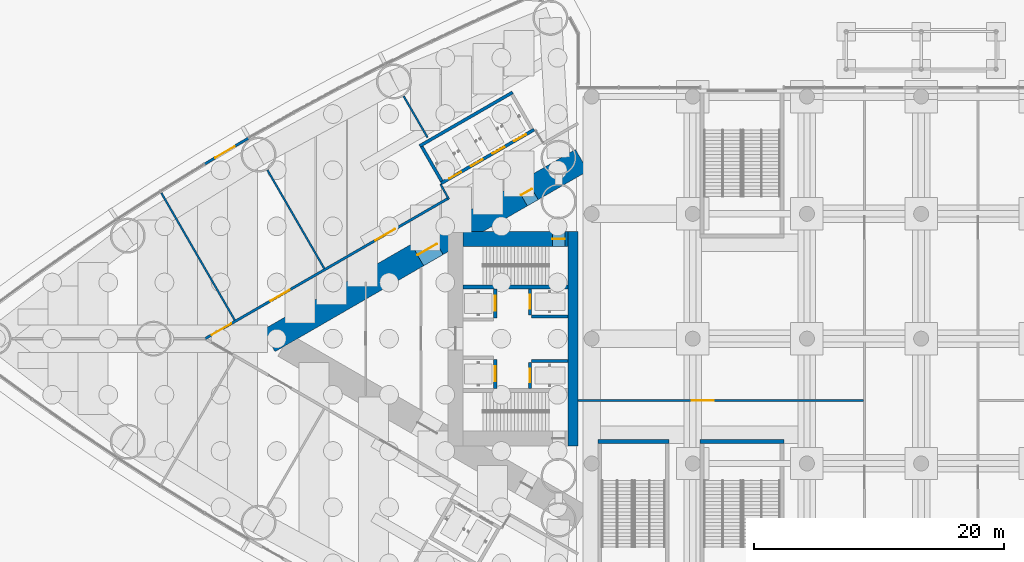
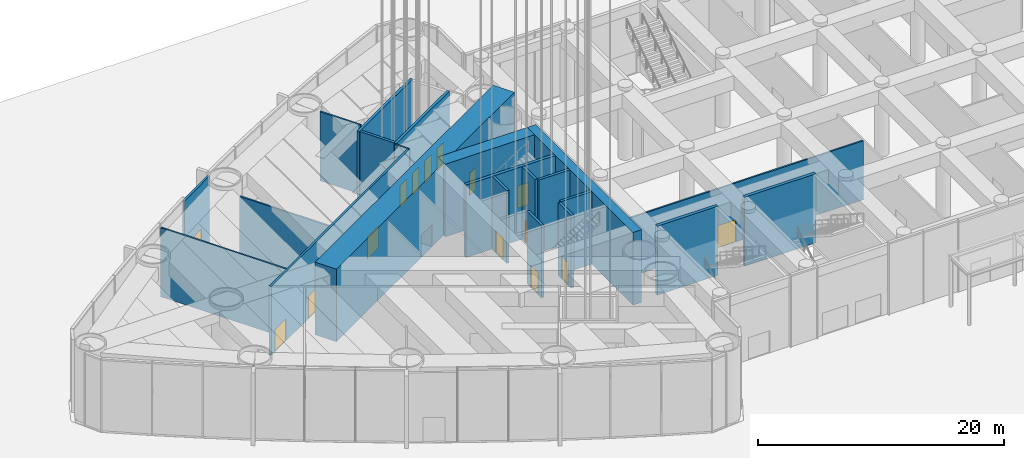
# One storey, part 21 of 43: 22 walls, 16 doors, 16 openings.
"""IFC4 building model written with IfcOpenShell, lengths in metres."""

from ifc_helpers import new_model, si_unit, direction, frame, frame_2d, origin, place, context, subcontext, project, spatial, rectangle, extrude, material, layer, layer_set, type_object, element, fill, save


model = new_model("IFC4")

# Units and contexts
model_context = context("Model", 3, precision=1e-05, world=origin(), true_north=direction((0.0, 1.0)))
body_context = subcontext(model_context, "Body", "Model", "MODEL_VIEW")
ifc_project = project(units=[si_unit("LENGTHUNIT", "METRE"), si_unit("AREAUNIT", "SQUARE_METRE"), si_unit("VOLUMEUNIT", "CUBIC_METRE"), si_unit("PLANEANGLEUNIT", "RADIAN"), si_unit("MASSUNIT", "GRAM", prefix="KILO")], contexts=[model_context])

# Site, building, storey
site_placement = place(None, origin())
site = spatial("IfcSite", under=ifc_project, at=site_placement, CompositionType="ELEMENT")
building_placement = place(site_placement, origin())
building = spatial("IfcBuilding", under=site, at=building_placement, Name="Lancet Gate Hotel", CompositionType="ELEMENT")
storey_placement = place(building_placement, origin())
storey = spatial("IfcBuildingStorey", under=building, at=storey_placement, Name="L00", CompositionType="ELEMENT", Elevation=0.0)

# Wall, openings, doors
ifc_material_1 = material(Name="Concrete C70/85", Category="concrete")
ifc_layer_1 = layer(ifc_material_1, 2.0)
ifc_layer_set_1 = layer_set([ifc_layer_1], Name="Buttress wall 2000")
wall_type_1 = type_object("IfcWallType", Name="Buttress wall 2000", PredefinedType="SHEAR", material=ifc_layer_set_1)
wall_1_placement = place(storey_placement, frame((-27.199951171875, 14.300048828125, 0.0), z_axis=(0.0, 0.0, 1.0), x_axis=(-0.866026593062, -0.499997940104, 0.0)))
wall_1 = element("IfcWall", 1, at=wall_1_placement, inside=storey, type_object=wall_type_1, Name="T1 buttress wall S L00", PredefinedType="SHEAR", context=body_context, shape_type="SweptSolid", body=[
    extrude(rectangle(XDim=28.9462890625, YDim=2.0, at=frame_2d((14.47314453125, 0.0))), origin(), (0.0, 0.0, 1.0), 7.199951171875),
])
opening_1_placement = place(wall_1_placement, frame((4.60009765625, 0.0, 0.0)))
opening_1 = element("IfcOpeningElement", 2, at=opening_1_placement, cuts=wall_1, Name="Opening T1-L00-LS", PredefinedType="OPENING", context=body_context, shape_type="SweptSolid", body=[
    extrude(rectangle(XDim=1.0, YDim=2.199951171875, at=frame_2d((0.5, 1.10009765625))), frame((0.0, 1.010009765625, 0.0), z_axis=(0.0, -1.0, 0.0), x_axis=(1.0, 0.0, 0.0)), (0.0, 0.0, 1.0), 2.02001953125),
])
opening_2_placement = place(wall_1_placement, frame((13.39453125, 0.0, 0.0)))
opening_2 = element("IfcOpeningElement", 3, at=opening_2_placement, cuts=wall_1, Name="Opening T1-L00-LHS", PredefinedType="OPENING", context=body_context, shape_type="SweptSolid", body=[
    extrude(rectangle(XDim=1.800048828125, YDim=2.199951171875, at=frame_2d((0.89990234375, 1.10009765625))), frame((0.0, 1.010009765625, 0.0), z_axis=(0.0, -1.0, 0.0), x_axis=(1.0, 0.0, 0.0)), (0.0, 0.0, 1.0), 2.02001953125),
])
ifc_material_2 = material(Name="Timber door set", Category="wood")
door_type_1 = type_object("IfcDoorType", Name="Lobby double door 1800", OperationType="DOUBLE_DOOR_SINGLE_SWING", PredefinedType="DOOR", material=ifc_material_2)
door_1_placement = place(opening_2_placement, origin())
door_1 = element("IfcDoor", 4, at=door_1_placement, inside=storey, type_object=door_type_1, Name="T1-L00-LHS", OperationType="DOUBLE_DOOR_SINGLE_SWING", OverallHeight=2.199951171875, OverallWidth=1.800048828125, PredefinedType="DOOR", context=body_context, shape_type="SweptSolid", body=[
    extrude(rectangle(XDim=1.800048828125, YDim=2.199951171875, at=frame_2d((0.89990234375, 1.10009765625))), frame((0.0, 0.02490234375, 0.0), z_axis=(0.0, -1.0, 0.0), x_axis=(1.0, 0.0, 0.0)), (0.0, 0.0, 1.0), 0.050048828125),
])
fill(opening_2, door_1)
ifc_material_3 = material(Name="Timber door set", Category="wood")
door_type_2 = type_object("IfcDoorType", Name="Stair lobby door 1000", OperationType="SINGLE_SWING_LEFT", PredefinedType="DOOR", material=ifc_material_3)
door_2_placement = place(opening_1_placement, origin())
door_2 = element("IfcDoor", 5, at=door_2_placement, inside=storey, type_object=door_type_2, Name="T1-L00-LS", OperationType="SINGLE_SWING_LEFT", OverallHeight=2.199951171875, OverallWidth=1.0, PredefinedType="DOOR", context=body_context, shape_type="SweptSolid", body=[
    extrude(rectangle(XDim=1.0, YDim=2.199951171875, at=frame_2d((0.5, 1.10009765625))), frame((0.0, 0.02490234375, 0.0), z_axis=(0.0, -1.0, 0.0), x_axis=(1.0, 0.0, 0.0)), (0.0, 0.0, 1.0), 0.050048828125),
])
fill(opening_1, door_2)

# Wall, opening, door
ifc_material_4 = material(Name="Concrete C70/85", Category="concrete")
ifc_layer_2 = layer(ifc_material_4, 1.199951171875)
ifc_layer_set_2 = layer_set([ifc_layer_2], Name="Core wall 1200")
wall_type_2 = type_object("IfcWallType", Name="Core wall 1200", PredefinedType="SHEAR", material=ifc_layer_set_2)
wall_2_placement = place(storey_placement, frame((-28.300048828125, 8.0, 0.0), z_axis=(0.0, 0.0, 1.0), x_axis=(-1.0, 0.0, 0.0)))
wall_2 = element("IfcWall", 6, at=wall_2_placement, inside=storey, type_object=wall_type_2, Name="T1 core wall side-S L00", PredefinedType="SHEAR", context=body_context, shape_type="SweptSolid", body=[
    extrude(rectangle(XDim=8.39990234375, YDim=1.199951171875, at=frame_2d((4.199951171875, 0.0))), origin(), (0.0, 0.0, 1.0), 7.199951171875),
])
opening_3_placement = place(wall_2_placement, frame((0.25, 0.0, 0.0)))
opening_3 = element("IfcOpeningElement", 7, at=opening_3_placement, cuts=wall_2, Name="Opening T1-L00-ST1", PredefinedType="OPENING", context=body_context, shape_type="SweptSolid", body=[
    extrude(rectangle(XDim=1.0, YDim=2.199951171875, at=frame_2d((0.5, 1.10009765625))), frame((0.0, 0.60986328125, 0.0), z_axis=(0.0, -1.0, 0.0), x_axis=(1.0, 0.0, 0.0)), (0.0, 0.0, 1.0), 1.219970703125),
])
ifc_material_5 = material(Name="Timber door set", Category="wood")
door_type_3 = type_object("IfcDoorType", Name="Stair door 1000", OperationType="SINGLE_SWING_RIGHT", PredefinedType="DOOR", material=ifc_material_5)
door_3_placement = place(opening_3_placement, origin())
door_3 = element("IfcDoor", 8, at=door_3_placement, inside=storey, type_object=door_type_3, Name="T1-L00-ST1", OperationType="SINGLE_SWING_RIGHT", OverallHeight=2.199951171875, OverallWidth=1.0, PredefinedType="DOOR", context=body_context, shape_type="SweptSolid", body=[
    extrude(rectangle(XDim=1.0, YDim=2.199951171875, at=frame_2d((0.5, 1.10009765625))), frame((0.0, 0.02490234375, 0.0), z_axis=(0.0, -1.0, 0.0), x_axis=(1.0, 0.0, 0.0)), (0.0, 0.0, 1.0), 0.050048828125),
])
fill(opening_3, door_3)

# Wall
ifc_material_6 = material(Name="Concrete C70/85", Category="concrete")
ifc_layer_3 = layer(ifc_material_6, 0.800048828125)
ifc_layer_set_3 = layer_set([ifc_layer_3], Name="Core wall 800")
wall_type_3 = type_object("IfcWallType", Name="Core wall 800", PredefinedType="SHEAR", material=ifc_layer_set_3)
wall_3_placement = place(storey_placement, frame((-27.89990234375, 8.60009765625, 0.0), z_axis=(0.0, 0.0, 1.0), x_axis=(0.0, -1.0, 0.0)))
element("IfcWall", 9, at=wall_3_placement, inside=storey, type_object=wall_type_3, Name="T1 core wall front L00", PredefinedType="SHEAR", context=body_context, shape_type="SweptSolid", body=[
    extrude(rectangle(XDim=17.2001953125, YDim=0.800048828125, at=frame_2d((8.60009765625, 0.0))), origin(), (0.0, 0.0, 1.0), 7.199951171875),
])

# Wall, openings, doors
ifc_material_7 = material(Name="Gypsum board partition")
ifc_layer_4 = layer(ifc_material_7, 0.199951171875)
ifc_layer_set_4 = layer_set([ifc_layer_4], Name="Corridor wall 200")
wall_type_4 = type_object("IfcWallType", Name="Corridor wall 200", PredefinedType="PARTITIONING", material=ifc_layer_set_4)
wall_4_placement = place(storey_placement, frame((-37.900146484375, 11.239990234375, 0.0), z_axis=(0.0, 0.0, 1.0), x_axis=(-0.866022995118, -0.50000417191, 0.0)))
wall_4 = element("IfcWall", 10, at=wall_4_placement, inside=storey, type_object=wall_type_4, Name="T1 corridor wall 200 L00", PredefinedType="PARTITIONING", context=body_context, shape_type="SweptSolid", body=[
    extrude(rectangle(XDim=22.479736328125, YDim=0.199951171875, at=frame_2d((11.23974609375, 0.0))), origin(), (0.0, 0.0, 1.0), 6.85009765625),
])
opening_4_placement = place(wall_4_placement, frame((14.643798828125, 0.0, 0.0)))
opening_4 = element("IfcOpeningElement", 11, at=opening_4_placement, cuts=wall_4, Name="Opening T1-L00-P003", PredefinedType="OPENING", context=body_context, shape_type="SweptSolid", body=[
    extrude(rectangle(XDim=1.800048828125, YDim=2.199951171875, at=frame_2d((0.89990234375, 1.10009765625))), frame((0.0, 0.10986328125, 0.0), z_axis=(0.0, -1.0, 0.0), x_axis=(1.0, 0.0, 0.0)), (0.0, 0.0, 1.0), 0.219970703125),
])
opening_5_placement = place(wall_4_placement, frame((20.069091796875, 0.0, 0.0)))
opening_5 = element("IfcOpeningElement", 12, at=opening_5_placement, cuts=wall_4, Name="Opening T1-L00-P004", PredefinedType="OPENING", context=body_context, shape_type="SweptSolid", body=[
    extrude(rectangle(XDim=1.800048828125, YDim=2.199951171875, at=frame_2d((0.89990234375, 1.10009765625))), frame((0.0, 0.10986328125, 0.0), z_axis=(0.0, -1.0, 0.0), x_axis=(1.0, 0.0, 0.0)), (0.0, 0.0, 1.0), 0.219970703125),
])
opening_6_placement = place(wall_4_placement, frame((4.914794921875, 0.0, 0.0)))
opening_6 = element("IfcOpeningElement", 13, at=opening_6_placement, cuts=wall_4, Name="Opening T1-L00-P002", PredefinedType="OPENING", context=body_context, shape_type="SweptSolid", body=[
    extrude(rectangle(XDim=1.800048828125, YDim=2.199951171875, at=frame_2d((0.89990234375, 1.10009765625))), frame((0.0, 0.10986328125, 0.0), z_axis=(0.0, -1.0, 0.0), x_axis=(1.0, 0.0, 0.0)), (0.0, 0.0, 1.0), 0.219970703125),
])
ifc_material_8 = material(Name="Timber door set", Category="wood")
door_type_4 = type_object("IfcDoorType", Name="Double door 1800", OperationType="DOUBLE_DOOR_SINGLE_SWING", PredefinedType="DOOR", material=ifc_material_8)
door_4_placement = place(opening_4_placement, origin())
door_4 = element("IfcDoor", 14, at=door_4_placement, inside=storey, type_object=door_type_4, Name="T1-L00-P003", OperationType="DOUBLE_DOOR_SINGLE_SWING", OverallHeight=2.199951171875, OverallWidth=1.800048828125, PredefinedType="DOOR", context=body_context, shape_type="SweptSolid", body=[
    extrude(rectangle(XDim=1.800048828125, YDim=2.199951171875, at=frame_2d((0.89990234375, 1.10009765625))), frame((0.0, 0.02490234375, 0.0), z_axis=(0.0, -1.0, 0.0), x_axis=(1.0, 0.0, 0.0)), (0.0, 0.0, 1.0), 0.050048828125),
])
fill(opening_4, door_4)
door_5_placement = place(opening_5_placement, origin())
door_5 = element("IfcDoor", 15, at=door_5_placement, inside=storey, type_object=door_type_4, Name="T1-L00-P004", OperationType="DOUBLE_DOOR_SINGLE_SWING", OverallHeight=2.199951171875, OverallWidth=1.800048828125, PredefinedType="DOOR", context=body_context, shape_type="SweptSolid", body=[
    extrude(rectangle(XDim=1.800048828125, YDim=2.199951171875, at=frame_2d((0.89990234375, 1.10009765625))), frame((0.0, 0.02490234375, 0.0), z_axis=(0.0, -1.0, 0.0), x_axis=(1.0, 0.0, 0.0)), (0.0, 0.0, 1.0), 0.050048828125),
])
fill(opening_5, door_5)
door_6_placement = place(opening_6_placement, origin())
door_6 = element("IfcDoor", 16, at=door_6_placement, inside=storey, type_object=door_type_4, Name="T1-L00-P002", OperationType="DOUBLE_DOOR_SINGLE_SWING", OverallHeight=2.199951171875, OverallWidth=1.800048828125, PredefinedType="DOOR", context=body_context, shape_type="SweptSolid", body=[
    extrude(rectangle(XDim=1.800048828125, YDim=2.199951171875, at=frame_2d((0.89990234375, 1.10009765625))), frame((0.0, 0.02490234375, 0.0), z_axis=(0.0, -1.0, 0.0), x_axis=(1.0, 0.0, 0.0)), (0.0, 0.0, 1.0), 0.050048828125),
])
fill(opening_6, door_6)

# Wall, opening, door
ifc_material_9 = material(Name="Glazed aluminium screen", Category="aluminium")
ifc_layer_5 = layer(ifc_material_9, 0.199951171875)
ifc_layer_set_5 = layer_set([ifc_layer_5], Name="Glazed entrance screen 200")
wall_type_5 = type_object("IfcWallType", Name="Glazed entrance screen 200", PredefinedType="STANDARD", material=ifc_layer_set_5)
wall_5_placement = place(storey_placement, frame((-57.42919921875, 13.97607421875, 0.0), z_axis=(0.0, 0.0, 1.0), x_axis=(0.860382514165, 0.50964882941, 0.0)))
wall_5 = element("IfcWall", 17, at=wall_5_placement, inside=storey, type_object=wall_type_5, Name="T1 entrance screen L00", PredefinedType="STANDARD", context=body_context, shape_type="SweptSolid", body=[
    extrude(rectangle(XDim=4.140380859375, YDim=0.199951171875, at=frame_2d((2.0703125, 0.0))), origin(), (0.0, 0.0, 1.0), 6.85009765625),
])
opening_7_placement = place(wall_5_placement, frame((1.02001953125, 0.0, 0.0)))
opening_7 = element("IfcOpeningElement", 18, at=opening_7_placement, cuts=wall_5, Name="Opening T1-ENT-S", PredefinedType="OPENING", context=body_context, shape_type="SweptSolid", body=[
    extrude(rectangle(XDim=1.800048828125, YDim=2.39990234375, at=frame_2d((0.89990234375, 1.199951171875))), frame((0.0, 0.10986328125, 0.0), z_axis=(0.0, -1.0, 0.0), x_axis=(1.0, 0.0, 0.0)), (0.0, 0.0, 1.0), 0.219970703125),
])
ifc_material_10 = material(Name="Glazed aluminium door set", Category="aluminium")
door_type_5 = type_object("IfcDoorType", Name="Entrance door 1800", OperationType="DOUBLE_DOOR_SINGLE_SWING", PredefinedType="DOOR", material=ifc_material_10)
door_7_placement = place(opening_7_placement, origin())
door_7 = element("IfcDoor", 19, at=door_7_placement, inside=storey, type_object=door_type_5, Name="T1-ENT-S", OperationType="SINGLE_SWING_LEFT", OverallHeight=2.39990234375, OverallWidth=1.800048828125, PredefinedType="DOOR", context=body_context, shape_type="SweptSolid", body=[
    extrude(rectangle(XDim=1.800048828125, YDim=2.39990234375, at=frame_2d((0.89990234375, 1.199951171875))), frame((0.0, 0.02490234375, 0.0), z_axis=(0.0, -1.0, 0.0), x_axis=(1.0, 0.0, 0.0)), (0.0, 0.0, 1.0), 0.050048828125),
])
fill(opening_7, door_7)

# Wall, openings, doors
ifc_material_11 = material(Name="Gypsum board partition")
ifc_layer_6 = layer(ifc_material_11, 0.25)
ifc_layer_set_6 = layer_set([ifc_layer_6], Name="Lift shaft partition 250")
wall_type_6 = type_object("IfcWallType", Name="Lift shaft partition 250", PredefinedType="PARTITIONING", material=ifc_layer_set_6)
wall_6_placement = place(storey_placement, frame((-31.010498046875, 16.747314453125, 0.0), z_axis=(0.0, 0.0, 1.0), x_axis=(-0.866028165386, -0.499995216735, 0.0)))
wall_6 = element("IfcWall", 20, at=wall_6_placement, inside=storey, type_object=wall_type_6, Name="T1 lift shaft wall LR L00", PredefinedType="PARTITIONING", context=body_context, shape_type="SweptSolid", body=[
    extrude(rectangle(XDim=8.60009765625, YDim=0.25, at=frame_2d((4.300048828125, 0.0))), origin(), (0.0, 0.0, 1.0), 6.85009765625),
])
opening_8_placement = place(wall_6_placement, frame((0.75, 0.0, 0.0)))
opening_8 = element("IfcOpeningElement", 21, at=opening_8_placement, cuts=wall_6, Name="Opening T1-LR1-L00", PredefinedType="OPENING", context=body_context, shape_type="SweptSolid", body=[
    extrude(rectangle(XDim=1.10009765625, YDim=2.199951171875, at=frame_2d((0.550048828125, 1.10009765625))), frame((0.0, 0.135009765625, 0.0), z_axis=(0.0, -1.0, 0.0), x_axis=(1.0, 0.0, 0.0)), (0.0, 0.0, 1.0), 0.27001953125),
])
opening_9_placement = place(wall_6_placement, frame((2.75, 0.0, 0.0)))
opening_9 = element("IfcOpeningElement", 22, at=opening_9_placement, cuts=wall_6, Name="Opening T1-LR2-L00", PredefinedType="OPENING", context=body_context, shape_type="SweptSolid", body=[
    extrude(rectangle(XDim=1.10009765625, YDim=2.199951171875, at=frame_2d((0.550048828125, 1.10009765625))), frame((0.0, 0.135009765625, 0.0), z_axis=(0.0, -1.0, 0.0), x_axis=(1.0, 0.0, 0.0)), (0.0, 0.0, 1.0), 0.27001953125),
])
opening_10_placement = place(wall_6_placement, frame((4.75, 0.0, 0.0)))
opening_10 = element("IfcOpeningElement", 23, at=opening_10_placement, cuts=wall_6, Name="Opening T1-LR3-L00", PredefinedType="OPENING", context=body_context, shape_type="SweptSolid", body=[
    extrude(rectangle(XDim=1.10009765625, YDim=2.199951171875, at=frame_2d((0.550048828125, 1.10009765625))), frame((0.0, 0.135009765625, 0.0), z_axis=(0.0, -1.0, 0.0), x_axis=(1.0, 0.0, 0.0)), (0.0, 0.0, 1.0), 0.27001953125),
])
opening_11_placement = place(wall_6_placement, frame((6.75, 0.0, 0.0)))
opening_11 = element("IfcOpeningElement", 24, at=opening_11_placement, cuts=wall_6, Name="Opening T1-LR4-L00", PredefinedType="OPENING", context=body_context, shape_type="SweptSolid", body=[
    extrude(rectangle(XDim=1.10009765625, YDim=2.199951171875, at=frame_2d((0.550048828125, 1.10009765625))), frame((0.0, 0.135009765625, 0.0), z_axis=(0.0, -1.0, 0.0), x_axis=(1.0, 0.0, 0.0)), (0.0, 0.0, 1.0), 0.27001953125),
])
ifc_material_12 = material(Name="Steel door set", Category="steel")
door_type_6 = type_object("IfcDoorType", Name="Lift landing door 1100", OperationType="DOUBLE_DOOR_SLIDING", PredefinedType="USERDEFINED", material=ifc_material_12)
door_8_placement = place(opening_8_placement, origin())
door_8 = element("IfcDoor", 25, at=door_8_placement, inside=storey, type_object=door_type_6, Name="T1-LR1-L00", ObjectType="LIFT LANDING DOOR", OperationType="DOUBLE_DOOR_SLIDING", OverallHeight=2.199951171875, OverallWidth=1.10009765625, PredefinedType="USERDEFINED", context=body_context, shape_type="SweptSolid", body=[
    extrude(rectangle(XDim=1.10009765625, YDim=2.199951171875, at=frame_2d((0.550048828125, 1.10009765625))), frame((0.0, 0.02490234375, 0.0), z_axis=(0.0, -1.0, 0.0), x_axis=(1.0, 0.0, 0.0)), (0.0, 0.0, 1.0), 0.050048828125),
])
fill(opening_8, door_8)
door_9_placement = place(opening_9_placement, origin())
door_9 = element("IfcDoor", 26, at=door_9_placement, inside=storey, type_object=door_type_6, Name="T1-LR2-L00", ObjectType="LIFT LANDING DOOR", OperationType="DOUBLE_DOOR_SLIDING", OverallHeight=2.199951171875, OverallWidth=1.10009765625, PredefinedType="USERDEFINED", context=body_context, shape_type="SweptSolid", body=[
    extrude(rectangle(XDim=1.10009765625, YDim=2.199951171875, at=frame_2d((0.550048828125, 1.10009765625))), frame((0.0, 0.02490234375, 0.0), z_axis=(0.0, -1.0, 0.0), x_axis=(1.0, 0.0, 0.0)), (0.0, 0.0, 1.0), 0.050048828125),
])
fill(opening_9, door_9)
door_10_placement = place(opening_10_placement, origin())
door_10 = element("IfcDoor", 27, at=door_10_placement, inside=storey, type_object=door_type_6, Name="T1-LR3-L00", ObjectType="LIFT LANDING DOOR", OperationType="DOUBLE_DOOR_SLIDING", OverallHeight=2.199951171875, OverallWidth=1.10009765625, PredefinedType="USERDEFINED", context=body_context, shape_type="SweptSolid", body=[
    extrude(rectangle(XDim=1.10009765625, YDim=2.199951171875, at=frame_2d((0.550048828125, 1.10009765625))), frame((0.0, 0.02490234375, 0.0), z_axis=(0.0, -1.0, 0.0), x_axis=(1.0, 0.0, 0.0)), (0.0, 0.0, 1.0), 0.050048828125),
])
fill(opening_10, door_10)
door_11_placement = place(opening_11_placement, origin())
door_11 = element("IfcDoor", 28, at=door_11_placement, inside=storey, type_object=door_type_6, Name="T1-LR4-L00", ObjectType="LIFT LANDING DOOR", OperationType="DOUBLE_DOOR_SLIDING", OverallHeight=2.199951171875, OverallWidth=1.10009765625, PredefinedType="USERDEFINED", context=body_context, shape_type="SweptSolid", body=[
    extrude(rectangle(XDim=1.10009765625, YDim=2.199951171875, at=frame_2d((0.550048828125, 1.10009765625))), frame((0.0, 0.02490234375, 0.0), z_axis=(0.0, -1.0, 0.0), x_axis=(1.0, 0.0, 0.0)), (0.0, 0.0, 1.0), 0.050048828125),
])
fill(opening_11, door_11)

# Walls
wall_7_placement = place(storey_placement, frame((-32.735595703125, 19.73583984375, 0.0), z_axis=(0.0, 0.0, 1.0), x_axis=(-0.866028165386, -0.499995216735, 0.0)))
element("IfcWall", 29, at=wall_7_placement, inside=storey, type_object=wall_type_6, Name="T1 lift shaft wall LR L00", PredefinedType="PARTITIONING", context=body_context, shape_type="SweptSolid", body=[
    extrude(rectangle(XDim=8.60009765625, YDim=0.25, at=frame_2d((4.300048828125, 0.0))), origin(), (0.0, 0.0, 1.0), 6.85009765625),
])
wall_8_placement = place(storey_placement, frame((-38.412841796875, 12.617919921875, 0.0), z_axis=(0.0, 0.0, 1.0), x_axis=(-0.499872130319, 0.866099216793, 0.0)))
element("IfcWall", 30, at=wall_8_placement, inside=storey, type_object=wall_type_6, Name="T1 lift shaft wall LR L00", PredefinedType="PARTITIONING", context=body_context, shape_type="SweptSolid", body=[
    extrude(rectangle(XDim=3.200439453125, YDim=0.25, at=frame_2d((1.60009765625, 0.0))), origin(), (0.0, 0.0, 1.0), 6.85009765625),
])

# Wall, opening, door
ifc_material_13 = material(Name="Concrete C50/60", Category="concrete")
ifc_layer_7 = layer(ifc_material_13, 0.25)
ifc_layer_set_7 = layer_set([ifc_layer_7], Name="Lift shaft wall 250")
wall_type_7 = type_object("IfcWallType", Name="Lift shaft wall 250", PredefinedType="SHEAR", material=ifc_layer_set_7)
wall_9_placement = place(storey_placement, frame((-31.324951171875, 4.0, 0.0), z_axis=(0.0, 0.0, 1.0), x_axis=(0.0, -1.0, 0.0)))
wall_9 = element("IfcWall", 31, at=wall_9_placement, inside=storey, type_object=wall_type_7, Name="T1 core wall row1-S L00", PredefinedType="SHEAR", context=body_context, shape_type="SweptSolid", body=[
    extrude(rectangle(XDim=2.10009765625, YDim=0.25, at=frame_2d((1.050048828125, 0.0))), origin(), (0.0, 0.0, 1.0), 7.199951171875),
])
opening_12_placement = place(wall_9_placement, frame((0.5, 0.0, 0.0)))
opening_12 = element("IfcOpeningElement", 32, at=opening_12_placement, cuts=wall_9, Name="Opening T1-SL1-L00", PredefinedType="OPENING", context=body_context, shape_type="SweptSolid", body=[
    extrude(rectangle(XDim=1.10009765625, YDim=2.199951171875, at=frame_2d((0.550048828125, 1.10009765625))), frame((0.0, 0.135009765625, 0.0), z_axis=(0.0, -1.0, 0.0), x_axis=(1.0, 0.0, 0.0)), (0.0, 0.0, 1.0), 0.27001953125),
])
ifc_material_14 = material(Name="Timber door set", Category="wood")
door_type_7 = type_object("IfcDoorType", Name="Service lift landing door 1100", OperationType="SLIDING_TO_LEFT", PredefinedType="USERDEFINED", material=ifc_material_14)
door_12_placement = place(opening_12_placement, origin())
door_12 = element("IfcDoor", 33, at=door_12_placement, inside=storey, type_object=door_type_7, Name="T1-SL1-L00", ObjectType="LIFT LANDING DOOR", OperationType="SLIDING_TO_LEFT", OverallHeight=2.199951171875, OverallWidth=1.10009765625, PredefinedType="USERDEFINED", context=body_context, shape_type="SweptSolid", body=[
    extrude(rectangle(XDim=1.10009765625, YDim=2.199951171875, at=frame_2d((0.550048828125, 1.10009765625))), frame((0.0, 0.02490234375, 0.0), z_axis=(0.0, -1.0, 0.0), x_axis=(1.0, 0.0, 0.0)), (0.0, 0.0, 1.0), 0.050048828125),
])
fill(opening_12, door_12)

wall_10_placement = place(storey_placement, frame((-34.125, 4.0, 0.0), z_axis=(0.0, 0.0, 1.0), x_axis=(0.0, -1.0, 0.0)))
wall_10 = element("IfcWall", 34, at=wall_10_placement, inside=storey, type_object=wall_type_7, Name="T1 core wall row2-S L00", PredefinedType="SHEAR", context=body_context, shape_type="SweptSolid", body=[
    extrude(rectangle(XDim=2.35009765625, YDim=0.25, at=frame_2d((1.175048828125, 0.0))), origin(), (0.0, 0.0, 1.0), 7.199951171875),
])
opening_13_placement = place(wall_10_placement, frame((0.574951171875, 0.0, 0.0)))
opening_13 = element("IfcOpeningElement", 35, at=opening_13_placement, cuts=wall_10, Name="Opening T1-OL3-L00", PredefinedType="OPENING", context=body_context, shape_type="SweptSolid", body=[
    extrude(rectangle(XDim=1.199951171875, YDim=2.199951171875, at=frame_2d((0.60009765625, 1.10009765625))), frame((0.0, 0.135009765625, 0.0), z_axis=(0.0, -1.0, 0.0), x_axis=(1.0, 0.0, 0.0)), (0.0, 0.0, 1.0), 0.27001953125),
])
ifc_material_15 = material(Name="Timber door set", Category="wood")
door_type_8 = type_object("IfcDoorType", Name="Shuttle lift landing door 1200", OperationType="DOUBLE_DOOR_SLIDING", PredefinedType="USERDEFINED", material=ifc_material_15)
door_13_placement = place(opening_13_placement, origin())
door_13 = element("IfcDoor", 36, at=door_13_placement, inside=storey, type_object=door_type_8, Name="T1-OL3-L00", ObjectType="LIFT LANDING DOOR", OperationType="DOUBLE_DOOR_SLIDING", OverallHeight=2.199951171875, OverallWidth=1.199951171875, PredefinedType="USERDEFINED", context=body_context, shape_type="SweptSolid", body=[
    extrude(rectangle(XDim=1.199951171875, YDim=2.199951171875, at=frame_2d((0.60009765625, 1.10009765625))), frame((0.0, 0.02490234375, 0.0), z_axis=(0.0, -1.0, 0.0), x_axis=(1.0, 0.0, 0.0)), (0.0, 0.0, 1.0), 0.050048828125),
])
fill(opening_13, door_13)

# Wall
wall_11_placement = place(storey_placement, frame((-28.300048828125, 1.77490234375, 0.0), z_axis=(0.0, 0.0, 1.0), x_axis=(-1.0, 0.0, 0.0)))
element("IfcWall", 37, at=wall_11_placement, inside=storey, type_object=wall_type_7, Name="T1 core wall pass1-S L00", PredefinedType="SHEAR", context=body_context, shape_type="SweptSolid", body=[
    extrude(rectangle(XDim=2.89990234375, YDim=0.25, at=frame_2d((1.449951171875, 0.0))), origin(), (0.0, 0.0, 1.0), 7.199951171875),
])

# Wall, opening, door
wall_12_placement = place(storey_placement, frame((-31.324951171875, -1.89990234375, 0.0), z_axis=(0.0, 0.0, 1.0), x_axis=(0.0, -1.0, 0.0)))
wall_12 = element("IfcWall", 38, at=wall_12_placement, inside=storey, type_object=wall_type_7, Name="T1 core wall row1-N L00", PredefinedType="SHEAR", context=body_context, shape_type="SweptSolid", body=[
    extrude(rectangle(XDim=2.10009765625, YDim=0.25, at=frame_2d((1.050048828125, 0.0))), origin(), (0.0, 0.0, 1.0), 7.199951171875),
])
opening_14_placement = place(wall_12_placement, frame((0.5, 0.0, 0.0)))
opening_14 = element("IfcOpeningElement", 39, at=opening_14_placement, cuts=wall_12, Name="Opening T1-FL2-L00", PredefinedType="OPENING", context=body_context, shape_type="SweptSolid", body=[
    extrude(rectangle(XDim=1.10009765625, YDim=2.199951171875, at=frame_2d((0.550048828125, 1.10009765625))), frame((0.0, 0.135009765625, 0.0), z_axis=(0.0, -1.0, 0.0), x_axis=(1.0, 0.0, 0.0)), (0.0, 0.0, 1.0), 0.27001953125),
])
ifc_material_16 = material(Name="Steel door set", Category="steel")
door_type_9 = type_object("IfcDoorType", Name="Firefighting lift landing door 1100", OperationType="SLIDING_TO_LEFT", PredefinedType="USERDEFINED", material=ifc_material_16)
door_14_placement = place(opening_14_placement, origin())
door_14 = element("IfcDoor", 40, at=door_14_placement, inside=storey, type_object=door_type_9, Name="T1-FL2-L00", ObjectType="LIFT LANDING DOOR", OperationType="SLIDING_TO_LEFT", OverallHeight=2.199951171875, OverallWidth=1.10009765625, PredefinedType="USERDEFINED", context=body_context, shape_type="SweptSolid", body=[
    extrude(rectangle(XDim=1.10009765625, YDim=2.199951171875, at=frame_2d((0.550048828125, 1.10009765625))), frame((0.0, 0.02490234375, 0.0), z_axis=(0.0, -1.0, 0.0), x_axis=(1.0, 0.0, 0.0)), (0.0, 0.0, 1.0), 0.050048828125),
])
fill(opening_14, door_14)

wall_13_placement = place(storey_placement, frame((-34.125, -1.64990234375, 0.0), z_axis=(0.0, 0.0, 1.0), x_axis=(0.0, -1.0, 0.0)))
wall_13 = element("IfcWall", 41, at=wall_13_placement, inside=storey, type_object=wall_type_7, Name="T1 core wall row2-N L00", PredefinedType="SHEAR", context=body_context, shape_type="SweptSolid", body=[
    extrude(rectangle(XDim=2.35009765625, YDim=0.25, at=frame_2d((1.175048828125, 0.0))), origin(), (0.0, 0.0, 1.0), 7.199951171875),
])
opening_15_placement = place(wall_13_placement, frame((0.574951171875, 0.0, 0.0)))
opening_15 = element("IfcOpeningElement", 42, at=opening_15_placement, cuts=wall_13, Name="Opening T1-OL4-L00", PredefinedType="OPENING", context=body_context, shape_type="SweptSolid", body=[
    extrude(rectangle(XDim=1.199951171875, YDim=2.199951171875, at=frame_2d((0.60009765625, 1.10009765625))), frame((0.0, 0.135009765625, 0.0), z_axis=(0.0, -1.0, 0.0), x_axis=(1.0, 0.0, 0.0)), (0.0, 0.0, 1.0), 0.27001953125),
])
door_15_placement = place(opening_15_placement, origin())
door_15 = element("IfcDoor", 43, at=door_15_placement, inside=storey, type_object=door_type_8, Name="T1-OL4-L00", ObjectType="LIFT LANDING DOOR", OperationType="DOUBLE_DOOR_SLIDING", OverallHeight=2.199951171875, OverallWidth=1.199951171875, PredefinedType="USERDEFINED", context=body_context, shape_type="SweptSolid", body=[
    extrude(rectangle(XDim=1.199951171875, YDim=2.199951171875, at=frame_2d((0.60009765625, 1.10009765625))), frame((0.0, 0.02490234375, 0.0), z_axis=(0.0, -1.0, 0.0), x_axis=(1.0, 0.0, 0.0)), (0.0, 0.0, 1.0), 0.050048828125),
])
fill(opening_15, door_15)

# Walls
wall_14_placement = place(storey_placement, frame((-28.300048828125, -1.77490234375, 0.0), z_axis=(0.0, 0.0, 1.0), x_axis=(-1.0, 0.0, 0.0)))
element("IfcWall", 44, at=wall_14_placement, inside=storey, type_object=wall_type_7, Name="T1 core wall pass1-N L00", PredefinedType="SHEAR", context=body_context, shape_type="SweptSolid", body=[
    extrude(rectangle(XDim=2.89990234375, YDim=0.25, at=frame_2d((1.449951171875, 0.0))), origin(), (0.0, 0.0, 1.0), 7.199951171875),
])
ifc_material_17 = material(Name="Gypsum board partition")
ifc_layer_8 = layer(ifc_material_17, 0.14990234375)
ifc_layer_set_8 = layer_set([ifc_layer_8], Name="Party wall 150")
wall_type_8 = type_object("IfcWallType", Name="Party wall 150", PredefinedType="PARTITIONING", material=ifc_layer_set_8)
wall_15_placement = place(storey_placement, frame((-47.826904296875, 5.624267578125, 0.0), z_axis=(0.0, 0.0, 1.0), x_axis=(-0.499995404498, 0.866028056982, 0.0)))
element("IfcWall", 45, at=wall_15_placement, inside=storey, type_object=wall_type_8, Name="T1 party wall 150 L00", PredefinedType="PARTITIONING", context=body_context, shape_type="SweptSolid", body=[
    extrude(rectangle(XDim=9.1103515625, YDim=0.14990234375, at=frame_2d((4.55517578125, 0.0))), origin(), (0.0, 0.0, 1.0), 5.85009765625),
])
wall_16_placement = place(storey_placement, frame((-54.99609375, 1.485107421875, 0.0), z_axis=(0.0, 0.0, 1.0), x_axis=(-0.500002871521, 0.866023745905, 0.0)))
element("IfcWall", 46, at=wall_16_placement, inside=storey, type_object=wall_type_8, Name="T1 party wall 150 L00", PredefinedType="PARTITIONING", context=body_context, shape_type="SweptSolid", body=[
    extrude(rectangle(XDim=11.7568359375, YDim=0.14990234375, at=frame_2d((5.87841796875, 0.0))), origin(), (0.0, 0.0, 1.0), 6.85009765625),
])
wall_17_placement = place(storey_placement, frame((-39.55078125, 16.11865234375, 0.0), z_axis=(0.0, 0.0, 1.0), x_axis=(-0.500014214979, 0.866017196607, 0.0)))
element("IfcWall", 47, at=wall_17_placement, inside=storey, type_object=wall_type_8, Name="T1 party wall 150 L00", PredefinedType="PARTITIONING", context=body_context, shape_type="SweptSolid", body=[
    extrude(rectangle(XDim=3.81494140625, YDim=0.14990234375, at=frame_2d((1.907470703125, 0.0))), origin(), (0.0, 0.0, 1.0), 6.85009765625),
])
ifc_material_18 = material(Name="Dense concrete blockwork", Category="masonry")
ifc_layer_9 = layer(ifc_material_18, 0.300048828125)
ifc_layer_set_9 = layer_set([ifc_layer_9], Name="Podium stair enclosure wall 300")
wall_type_9 = type_object("IfcWallType", Name="Podium stair enclosure wall 300", PredefinedType="SOLIDWALL", material=ifc_layer_set_9)
wall_18_placement = place(storey_placement, frame((-17.699951171875, -8.22998046875, 0.0), z_axis=(0.0, 0.0, 1.0), x_axis=(1.0, 0.0, 0.0)))
element("IfcWall", 48, at=wall_18_placement, inside=storey, type_object=wall_type_9, Name="Podium stair PS3 encl wall inner L00", PredefinedType="SOLIDWALL", context=body_context, shape_type="SweptSolid", body=[
    extrude(rectangle(XDim=6.699951171875, YDim=0.300048828125, at=frame_2d((3.35009765625, 0.0))), origin(), (0.0, 0.0, 1.0), 6.85009765625),
])
wall_19_placement = place(storey_placement, frame((-25.89990234375, -8.22998046875, 0.0), z_axis=(0.0, 0.0, 1.0), x_axis=(1.0, 0.0, 0.0)))
element("IfcWall", 49, at=wall_19_placement, inside=storey, type_object=wall_type_9, Name="Podium stair PS6 encl wall inner L00", PredefinedType="SOLIDWALL", context=body_context, shape_type="SweptSolid", body=[
    extrude(rectangle(XDim=5.699951171875, YDim=0.300048828125, at=frame_2d((2.85009765625, 0.0))), origin(), (0.0, 0.0, 1.0), 6.85009765625),
])
ifc_material_19 = material(Name="Gypsum board partition")
ifc_layer_10 = layer(ifc_material_19, 0.14990234375)
ifc_layer_set_10 = layer_set([ifc_layer_10], Name="Service room wall 150")
wall_type_10 = type_object("IfcWallType", Name="Service room wall 150", PredefinedType="PARTITIONING", material=ifc_layer_set_10)
wall_20_placement = place(storey_placement, frame((-38.513427734375, 12.392333984375, 0.0), z_axis=(0.0, 0.0, 1.0), x_axis=(0.481358300093, -0.876523922624, 0.0)))
element("IfcWall", 50, at=wall_20_placement, inside=storey, type_object=wall_type_10, Name="T1 service room wall 150 L00", PredefinedType="PARTITIONING", context=body_context, shape_type="SweptSolid", body=[
    extrude(rectangle(XDim=1.405029296875, YDim=0.14990234375, at=frame_2d((0.70263671875, 0.0))), origin(), (0.0, 0.0, 1.0), 6.85009765625),
])

# Wall, opening, door
wall_21_placement = place(storey_placement, frame((-27.5, -4.949951171875, 0.0), z_axis=(0.0, 0.0, 1.0), x_axis=(1.0, 0.0, 0.0)))
wall_21 = element("IfcWall", 51, at=wall_21_placement, inside=storey, type_object=wall_type_10, Name="Podium partition L00", PredefinedType="PARTITIONING", context=body_context, shape_type="SweptSolid", body=[
    extrude(rectangle(XDim=22.875, YDim=0.14990234375, at=frame_2d((11.4375, 0.0))), origin(), (0.0, 0.0, 1.0), 5.85009765625),
])
opening_16_placement = place(wall_21_placement, frame((9.10009765625, 0.0, 0.0)))
opening_16 = element("IfcOpeningElement", 52, at=opening_16_placement, cuts=wall_21, Name="Opening POD-L00-X0", PredefinedType="OPENING", context=body_context, shape_type="SweptSolid", body=[
    extrude(rectangle(XDim=1.800048828125, YDim=2.199951171875, at=frame_2d((0.89990234375, 1.10009765625))), frame((0.0, 0.0849609375, 0.0), z_axis=(0.0, -1.0, 0.0), x_axis=(1.0, 0.0, 0.0)), (0.0, 0.0, 1.0), 0.169921875),
])
door_16_placement = place(opening_16_placement, origin())
door_16 = element("IfcDoor", 53, at=door_16_placement, inside=storey, type_object=door_type_4, Name="POD-L00-X0", OperationType="DOUBLE_DOOR_SINGLE_SWING", OverallHeight=2.199951171875, OverallWidth=1.800048828125, PredefinedType="DOOR", context=body_context, shape_type="SweptSolid", body=[
    extrude(rectangle(XDim=1.800048828125, YDim=2.199951171875, at=frame_2d((0.89990234375, 1.10009765625))), frame((0.0, 0.02490234375, 0.0), z_axis=(0.0, -1.0, 0.0), x_axis=(1.0, 0.0, 0.0)), (0.0, 0.0, 1.0), 0.050048828125),
])
fill(opening_16, door_16)

# Wall
ifc_material_20 = material(Name="Concrete C50/60", Category="concrete")
ifc_layer_11 = layer(ifc_material_20, 0.300048828125)
ifc_layer_set_11 = layer_set([ifc_layer_11], Name="Stair enclosure wall 300")
wall_type_11 = type_object("IfcWallType", Name="Stair enclosure wall 300", PredefinedType="SHEAR", material=ifc_layer_set_11)
wall_22_placement = place(storey_placement, frame((-28.300048828125, 4.14990234375, 0.0), z_axis=(0.0, 0.0, 1.0), x_axis=(-1.0, 0.0, 0.0)))
element("IfcWall", 54, at=wall_22_placement, inside=storey, type_object=wall_type_11, Name="T1 core wall stair-S L00", PredefinedType="SHEAR", context=body_context, shape_type="SweptSolid", body=[
    extrude(rectangle(XDim=8.39990234375, YDim=0.300048828125, at=frame_2d((4.199951171875, 0.0))), origin(), (0.0, 0.0, 1.0), 7.199951171875),
])

save(model, "model.ifc")
